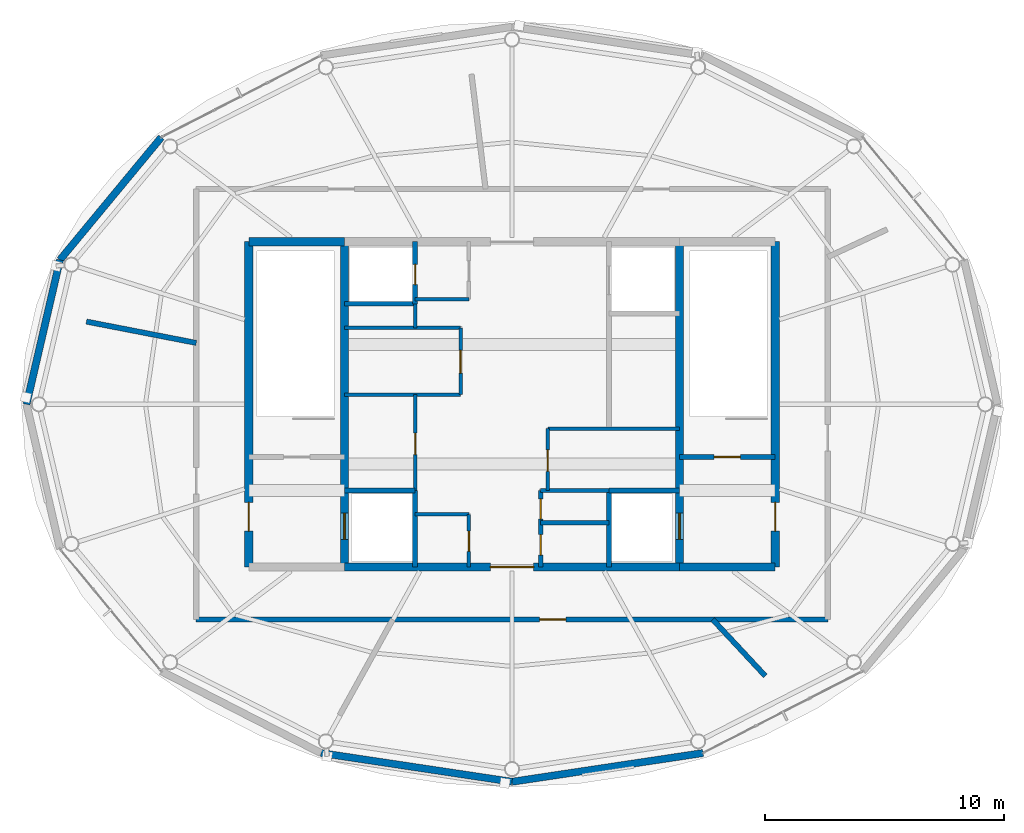
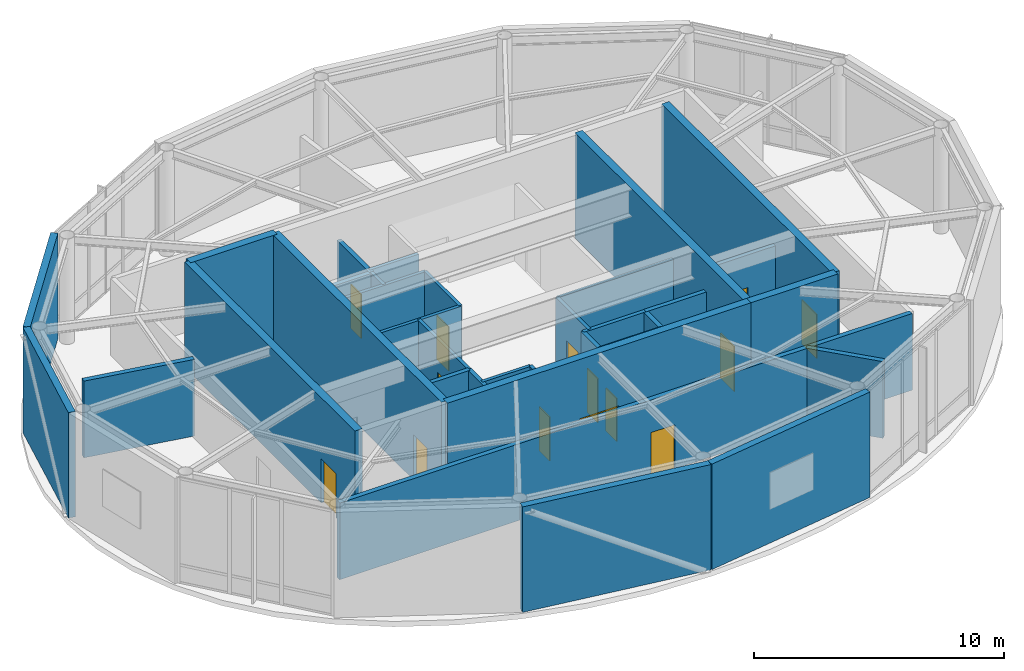
# One storey, part 12 of 14: 34 walls, 14 doors, 14 openings.
"""IFC4 building model written with IfcOpenShell, lengths in metres."""

from ifc_helpers import new_model, si_unit, direction, frame, frame_2d, origin, place, context, subcontext, project, spatial, rectangle, extrude, material, layer, layer_set, type_object, element, fill, save


model = new_model("IFC4")

# Units and contexts
model_context = context("Model", 3, precision=1e-05, world=origin(), true_north=direction((0.0, 1.0)))
body_context = subcontext(model_context, "Body", "Model", "MODEL_VIEW")
ifc_project = project(units=[si_unit("LENGTHUNIT", "METRE"), si_unit("AREAUNIT", "SQUARE_METRE"), si_unit("VOLUMEUNIT", "CUBIC_METRE"), si_unit("PLANEANGLEUNIT", "RADIAN"), si_unit("MASSUNIT", "GRAM", prefix="KILO")], contexts=[model_context])

# Site, building, storey
site_placement = place(None, origin())
site = spatial("IfcSite", under=ifc_project, at=site_placement, CompositionType="ELEMENT")
building_placement = place(site_placement, origin())
building = spatial("IfcBuilding", under=site, at=building_placement, Name="Sarneth Arch Tower", CompositionType="ELEMENT")
storey_placement = place(building_placement, frame((0.0, 0.0, 321.60009765625)))
storey = spatial("IfcBuildingStorey", under=building, at=storey_placement, Name="L83", CompositionType="ELEMENT", Elevation=321.60009765625)

# Wall, opening, door
ifc_material_1 = material(Name="Concrete C50/60", Category="concrete")
ifc_layer_1 = layer(ifc_material_1, 0.35009765625)
ifc_layer_set_1 = layer_set([ifc_layer_1], Name="Concrete C50/60")
wall_type_1 = type_object("IfcWallType", Name="WALL-CORE-350", PredefinedType="SHEAR", material=ifc_layer_set_1)
wall_1_placement = place(storey_placement, frame((41.0, 35.199951171875, 0.0), z_axis=(0.0, 0.0, 1.0), x_axis=(1.0, 0.0, 0.0)))
wall_1 = element("IfcWall", 1, at=wall_1_placement, inside=storey, type_object=wall_type_1, Name="L83 Core shear wall S-M", PredefinedType="SHEAR", context=body_context, shape_type="SweptSolid", body=[
    extrude(rectangle(XDim=14.0, YDim=0.35009765625, at=frame_2d((7.0, 0.0))), origin(), (0.0, 0.0, 1.0), 5.139892578125),
])
opening_1_placement = place(wall_1_placement, frame((6.10009765625, 0.0, 0.0)))
opening_1 = element("IfcOpeningElement", 2, at=opening_1_placement, cuts=wall_1, Name="Opening FD-01", PredefinedType="OPENING", context=body_context, shape_type="SweptSolid", body=[
    extrude(rectangle(XDim=1.800048828125, YDim=2.25, at=frame_2d((0.89990234375, 1.125))), frame((0.0, 0.18505859375, 0.0), z_axis=(0.0, -1.0, 0.0), x_axis=(1.0, 0.0, 0.0)), (0.0, 0.0, 1.0), 0.3701171875),
])
ifc_material_2 = material(Name="Galvanised Steel S275 fire door set", Category="steel")
door_type_1 = type_object("IfcDoorType", Name="DR-FD90-1800", OperationType="DOUBLE_DOOR_SINGLE_SWING", PredefinedType="DOOR", material=ifc_material_2)
door_1_placement = place(opening_1_placement, origin())
door_1 = element("IfcDoor", 3, at=door_1_placement, inside=storey, type_object=door_type_1, Name="L83 Central lift lobby south door", OperationType="DOUBLE_DOOR_SINGLE_SWING", OverallHeight=2.25, OverallWidth=1.800048828125, PredefinedType="DOOR", context=body_context, shape_type="SweptSolid", body=[
    extrude(rectangle(XDim=1.800048828125, YDim=2.25, at=frame_2d((0.89990234375, 1.125))), frame((0.0, 0.02490234375, 0.0), z_axis=(0.0, -1.0, 0.0), x_axis=(1.0, 0.0, 0.0)), (0.0, 0.0, 1.0), 0.050048828125),
])
fill(opening_1, door_1)

# Walls
for number, where, z_axis, x_axis, name in (
    (4, (55.0, 35.199951171875, 0.0), (0.0, 0.0, 1.0), (1.0, 0.0, 0.0), "L83 Core shear wall S-E"),
    (5, (37.0, 48.800048828125, 0.0), (0.0, 0.0, 1.0), (1.0, 0.0, 0.0), "L83 Core shear wall N-W"),
):
    element("IfcWall", number, at=place(storey_placement, frame(where, z_axis=z_axis, x_axis=x_axis)), inside=storey, type_object=wall_type_1, Name=name, PredefinedType="SHEAR", context=body_context, shape_type="SweptSolid", body=[
        extrude(rectangle(XDim=4.0, YDim=0.35009765625, at=frame_2d((2.0, 0.0))), origin(), (0.0, 0.0, 1.0), 5.139892578125),
    ])

# Wall, opening, door
wall_2_placement = place(storey_placement, frame((37.0, 35.199951171875, 0.0), z_axis=(0.0, 0.0, 1.0), x_axis=(0.0, 1.0, 0.0)))
wall_2 = element("IfcWall", 6, at=wall_2_placement, inside=storey, type_object=wall_type_1, Name="L83 Core shear wall W", PredefinedType="SHEAR", context=body_context, shape_type="SweptSolid", body=[
    extrude(rectangle(XDim=13.60009765625, YDim=0.35009765625, at=frame_2d((6.800048828125, 0.0))), origin(), (0.0, 0.0, 1.0), 5.139892578125),
])
opening_2_placement = place(wall_2_placement, frame((1.5, 0.0, 0.0)))
opening_2 = element("IfcOpeningElement", 7, at=opening_2_placement, cuts=wall_2, Name="Opening FD-02", PredefinedType="OPENING", context=body_context, shape_type="SweptSolid", body=[
    extrude(rectangle(XDim=1.199951171875, YDim=2.14990234375, at=frame_2d((0.60009765625, 1.074951171875))), frame((0.0, 0.18505859375, 0.0), z_axis=(0.0, -1.0, 0.0), x_axis=(1.0, 0.0, 0.0)), (0.0, 0.0, 1.0), 0.3701171875),
])
ifc_material_3 = material(Name="Galvanised Steel S275 fire door set", Category="steel")
door_type_2 = type_object("IfcDoorType", Name="DR-FD90-1200", OperationType="SINGLE_SWING_LEFT", PredefinedType="DOOR", material=ifc_material_3)
door_2_placement = place(opening_2_placement, origin())
door_2 = element("IfcDoor", 8, at=door_2_placement, inside=storey, type_object=door_type_2, Name="L83 Firefighting lobby 1 exit door", OperationType="SINGLE_SWING_LEFT", OverallHeight=2.14990234375, OverallWidth=1.199951171875, PredefinedType="DOOR", context=body_context, shape_type="SweptSolid", body=[
    extrude(rectangle(XDim=1.199951171875, YDim=2.14990234375, at=frame_2d((0.60009765625, 1.074951171875))), frame((0.0, 0.02490234375, 0.0), z_axis=(0.0, -1.0, 0.0), x_axis=(1.0, 0.0, 0.0)), (0.0, 0.0, 1.0), 0.050048828125),
])
fill(opening_2, door_2)

wall_3_placement = place(storey_placement, frame((59.0, 35.199951171875, 0.0), z_axis=(0.0, 0.0, 1.0), x_axis=(0.0, 1.0, 0.0)))
wall_3 = element("IfcWall", 9, at=wall_3_placement, inside=storey, type_object=wall_type_1, Name="L83 Core shear wall E", PredefinedType="SHEAR", context=body_context, shape_type="SweptSolid", body=[
    extrude(rectangle(XDim=13.60009765625, YDim=0.35009765625, at=frame_2d((6.800048828125, 0.0))), origin(), (0.0, 0.0, 1.0), 5.139892578125),
])
opening_3_placement = place(wall_3_placement, frame((1.5, 0.0, 0.0)))
opening_3 = element("IfcOpeningElement", 10, at=opening_3_placement, cuts=wall_3, Name="Opening FD-02", PredefinedType="OPENING", context=body_context, shape_type="SweptSolid", body=[
    extrude(rectangle(XDim=1.199951171875, YDim=2.14990234375, at=frame_2d((0.60009765625, 1.074951171875))), frame((0.0, 0.18505859375, 0.0), z_axis=(0.0, -1.0, 0.0), x_axis=(1.0, 0.0, 0.0)), (0.0, 0.0, 1.0), 0.3701171875),
])
door_3_placement = place(opening_3_placement, origin())
door_3 = element("IfcDoor", 11, at=door_3_placement, inside=storey, type_object=door_type_2, Name="L83 Firefighting lobby 2 exit door", OperationType="SINGLE_SWING_RIGHT", OverallHeight=2.14990234375, OverallWidth=1.199951171875, PredefinedType="DOOR", context=body_context, shape_type="SweptSolid", body=[
    extrude(rectangle(XDim=1.199951171875, YDim=2.14990234375, at=frame_2d((0.60009765625, 1.074951171875))), frame((0.0, 0.02490234375, 0.0), z_axis=(0.0, -1.0, 0.0), x_axis=(1.0, 0.0, 0.0)), (0.0, 0.0, 1.0), 0.050048828125),
])
fill(opening_3, door_3)

wall_4_placement = place(storey_placement, frame((41.0, 35.199951171875, 0.0), z_axis=(0.0, 0.0, 1.0), x_axis=(0.0, 1.0, 0.0)))
wall_4 = element("IfcWall", 12, at=wall_4_placement, inside=storey, type_object=wall_type_1, Name="L83 Core shear wall WEB-W", PredefinedType="SHEAR", context=body_context, shape_type="SweptSolid", body=[
    extrude(rectangle(XDim=13.60009765625, YDim=0.35009765625, at=frame_2d((6.800048828125, 0.0))), origin(), (0.0, 0.0, 1.0), 5.139892578125),
])
opening_4_placement = place(wall_4_placement, frame((1.14990234375, 0.0, 0.0)))
opening_4 = element("IfcOpeningElement", 13, at=opening_4_placement, cuts=wall_4, Name="Opening LD-1", PredefinedType="OPENING", context=body_context, shape_type="SweptSolid", body=[
    extrude(rectangle(XDim=1.10009765625, YDim=2.199951171875, at=frame_2d((0.550048828125, 1.10009765625))), frame((0.0, 0.18505859375, 0.0), z_axis=(0.0, -1.0, 0.0), x_axis=(1.0, 0.0, 0.0)), (0.0, 0.0, 1.0), 0.3701171875),
])
ifc_material_4 = material(Name="Brushed Stainless Steel 304 lift landing door", Category="steel")
door_type_3 = type_object("IfcDoorType", Name="DR-LIFT-SLIDE-1100", OperationType="SLIDING_TO_LEFT", PredefinedType="DOOR", material=ifc_material_4)
door_4_placement = place(opening_4_placement, origin())
door_4 = element("IfcDoor", 14, at=door_4_placement, inside=storey, type_object=door_type_3, Name="L83 Firefighting lift landing door FL-1", OperationType="SLIDING_TO_LEFT", OverallHeight=2.199951171875, OverallWidth=1.10009765625, PredefinedType="DOOR", context=body_context, shape_type="SweptSolid", body=[
    extrude(rectangle(XDim=1.10009765625, YDim=2.199951171875, at=frame_2d((0.550048828125, 1.10009765625))), frame((0.0, 0.02490234375, 0.0), z_axis=(0.0, -1.0, 0.0), x_axis=(1.0, 0.0, 0.0)), (0.0, 0.0, 1.0), 0.050048828125),
])
fill(opening_4, door_4)

wall_5_placement = place(storey_placement, frame((55.0, 35.199951171875, 0.0), z_axis=(0.0, 0.0, 1.0), x_axis=(0.0, 1.0, 0.0)))
wall_5 = element("IfcWall", 15, at=wall_5_placement, inside=storey, type_object=wall_type_1, Name="L83 Core shear wall WEB-E", PredefinedType="SHEAR", context=body_context, shape_type="SweptSolid", body=[
    extrude(rectangle(XDim=13.60009765625, YDim=0.35009765625, at=frame_2d((6.800048828125, 0.0))), origin(), (0.0, 0.0, 1.0), 5.139892578125),
])
opening_5_placement = place(wall_5_placement, frame((1.14990234375, 0.0, 0.0)))
opening_5 = element("IfcOpeningElement", 16, at=opening_5_placement, cuts=wall_5, Name="Opening LD-1", PredefinedType="OPENING", context=body_context, shape_type="SweptSolid", body=[
    extrude(rectangle(XDim=1.10009765625, YDim=2.199951171875, at=frame_2d((0.550048828125, 1.10009765625))), frame((0.0, 0.18505859375, 0.0), z_axis=(0.0, -1.0, 0.0), x_axis=(1.0, 0.0, 0.0)), (0.0, 0.0, 1.0), 0.3701171875),
])
door_5_placement = place(opening_5_placement, origin())
door_5 = element("IfcDoor", 17, at=door_5_placement, inside=storey, type_object=door_type_3, Name="L83 Firefighting lift landing door FL-2", OperationType="SLIDING_TO_RIGHT", OverallHeight=2.199951171875, OverallWidth=1.10009765625, PredefinedType="DOOR", context=body_context, shape_type="SweptSolid", body=[
    extrude(rectangle(XDim=1.10009765625, YDim=2.199951171875, at=frame_2d((0.550048828125, 1.10009765625))), frame((0.0, 0.02490234375, 0.0), z_axis=(0.0, -1.0, 0.0), x_axis=(1.0, 0.0, 0.0)), (0.0, 0.0, 1.0), 0.050048828125),
])
fill(opening_5, door_5)

# Walls
ifc_material_5 = material(Name="Extruded terracotta rainscreen on Concrete C40/50 backing", Category="masonry")
ifc_layer_2 = layer(ifc_material_5, 0.300048828125)
ifc_layer_set_2 = layer_set([ifc_layer_2], Name="Extruded terracotta rainscreen on Concrete C40/50 backing")
wall_type_2 = type_object("IfcWallType", Name="WALL-EXT-ACOUST-300", PredefinedType="SOLIDWALL", material=ifc_layer_set_2)
wall_6_placement = place(storey_placement, frame((33.3388671875, 53.158203125, 0.0), z_axis=(0.0, 0.0, 1.0), x_axis=(-0.637488001771, -0.770460282947, 0.0)))
element("IfcWall", 18, at=wall_6_placement, inside=storey, type_object=wall_type_2, Name="L83 Terracotta perimeter wall 07", PredefinedType="SOLIDWALL", context=body_context, shape_type="SweptSolid", body=[
    extrude(rectangle(XDim=6.64453125, YDim=0.300048828125, at=frame_2d((3.322265625, 0.0))), origin(), (0.0, 0.0, 1.0), 5.139892578125),
])
wall_7_placement = place(storey_placement, frame((29.10302734375, 48.038818359375, 0.0), z_axis=(0.0, 0.0, 1.0), x_axis=(-0.225604460723, -0.974218983238, 0.0)))
element("IfcWall", 19, at=wall_7_placement, inside=storey, type_object=wall_type_2, Name="L83 Terracotta perimeter wall 08", PredefinedType="SOLIDWALL", context=body_context, shape_type="SweptSolid", body=[
    extrude(rectangle(XDim=6.19873046875, YDim=0.300048828125, at=frame_2d((3.099365234375, 0.0))), origin(), (0.0, 0.0, 1.0), 5.139892578125),
])
for number, where, z_axis, x_axis, name in (
    (20, (40.014404296875, 27.421142578125, 0.0), (0.0, 0.0, 1.0), (0.988875731541, -0.148744033727, 0.0), "L83 Terracotta perimeter wall 12"),
    (21, (48.0, 26.219970703125, 0.0), (0.0, 0.0, 1.0), (0.988875731541, 0.148744033727, 0.0), "L83 Terracotta perimeter wall 13"),
):
    element("IfcWall", number, at=place(storey_placement, frame(where, z_axis=z_axis, x_axis=x_axis)), inside=storey, type_object=wall_type_2, Name=name, PredefinedType="SOLIDWALL", context=body_context, shape_type="SweptSolid", body=[
        extrude(rectangle(XDim=8.075439453125, YDim=0.300048828125, at=frame_2d((4.03759765625, 0.0))), origin(), (0.0, 0.0, 1.0), 5.139892578125),
    ])

# Wall, opening, door
ifc_material_6 = material(Name="Aerated concrete blockwork C25/30", Category="masonry")
ifc_layer_3 = layer(ifc_material_6, 0.219970703125)
ifc_layer_set_3 = layer_set([ifc_layer_3], Name="Aerated concrete blockwork C25/30")
wall_type_3 = type_object("IfcWallType", Name="WALL-FIRE-220", PredefinedType="SOLIDWALL", material=ifc_layer_set_3)
wall_8_placement = place(storey_placement, frame((61.199951171875, 33.0, 0.0), z_axis=(0.0, 0.0, 1.0), x_axis=(-1.0, 0.0, 0.0)))
wall_8 = element("IfcWall", 22, at=wall_8_placement, inside=storey, type_object=wall_type_3, Name="L83 Interior partition W-L83-TP-007", PredefinedType="SOLIDWALL", context=body_context, shape_type="SweptSolid", body=[
    extrude(rectangle(XDim=26.39990234375, YDim=0.219970703125, at=frame_2d((13.199951171875, 0.0))), origin(), (0.0, 0.0, 1.0), 3.739990234375),
])
opening_6_placement = place(wall_8_placement, frame((10.944580078125, 0.0, 0.0)))
opening_6 = element("IfcOpeningElement", 23, at=opening_6_placement, cuts=wall_8, Name="Opening FD-03", PredefinedType="OPENING", context=body_context, shape_type="SweptSolid", body=[
    extrude(rectangle(XDim=1.10009765625, YDim=2.14990234375, at=frame_2d((0.550048828125, 1.074951171875))), frame((0.0, 0.119873046875, 0.0), z_axis=(0.0, -1.0, 0.0), x_axis=(1.0, 0.0, 0.0)), (0.0, 0.0, 1.0), 0.239990234375),
])
ifc_material_7 = material(Name="Galvanised Steel S275 fire door set", Category="steel")
door_type_4 = type_object("IfcDoorType", Name="DR-FD90-1100", OperationType="SINGLE_SWING_LEFT", PredefinedType="DOOR", material=ifc_material_7)
door_6_placement = place(opening_6_placement, origin())
door_6 = element("IfcDoor", 24, at=door_6_placement, inside=storey, type_object=door_type_4, Name="L83 Interior door DR-L83-PSEC-4", OperationType="SINGLE_SWING_LEFT", OverallHeight=2.14990234375, OverallWidth=1.10009765625, PredefinedType="DOOR", context=body_context, shape_type="SweptSolid", body=[
    extrude(rectangle(XDim=1.10009765625, YDim=2.14990234375, at=frame_2d((0.550048828125, 1.074951171875))), frame((0.0, 0.02490234375, 0.0), z_axis=(0.0, -1.0, 0.0), x_axis=(1.0, 0.0, 0.0)), (0.0, 0.0, 1.0), 0.050048828125),
])
fill(opening_6, door_6)

# Walls
wall_9_placement = place(storey_placement, frame((34.800048828125, 44.56591796875, 0.0), z_axis=(0.0, 0.0, 1.0), x_axis=(-0.981634681903, 0.190770415119, 0.0)))
element("IfcWall", 25, at=wall_9_placement, inside=storey, type_object=wall_type_3, Name="L83 Interior partition W-L83-TP-012", PredefinedType="SOLIDWALL", context=body_context, shape_type="SweptSolid", body=[
    extrude(rectangle(XDim=4.675048828125, YDim=0.219970703125, at=frame_2d((2.33740234375, 0.0))), origin(), (0.0, 0.0, 1.0), 3.739990234375),
])
wall_10_placement = place(storey_placement, frame((56.392578125, 33.0, 0.0), z_axis=(0.0, 0.0, 1.0), x_axis=(0.68200765992, -0.731345029251, 0.0)))
element("IfcWall", 26, at=wall_10_placement, inside=storey, type_object=wall_type_3, Name="L83 Interior partition W-L83-TP-014", PredefinedType="SOLIDWALL", context=body_context, shape_type="SweptSolid", body=[
    extrude(rectangle(XDim=3.221435546875, YDim=0.219970703125, at=frame_2d((1.61083984375, 0.0))), origin(), (0.0, 0.0, 1.0), 3.739990234375),
])

# Wall, opening, door
ifc_material_8 = material(Name="Acoustic gypsum stud partition", Category="gypsum")
ifc_layer_4 = layer(ifc_material_8, 0.14990234375)
ifc_layer_set_4 = layer_set([ifc_layer_4], Name="Acoustic gypsum stud partition")
wall_type_4 = type_object("IfcWallType", Name="WALL-PART-150", PredefinedType="PARTITIONING", material=ifc_layer_set_4)
wall_11_placement = place(storey_placement, frame((43.949951171875, 38.39990234375, 0.0), z_axis=(0.0, 0.0, 1.0), x_axis=(0.0, 1.0, 0.0)))
wall_11 = element("IfcWall", 27, at=wall_11_placement, inside=storey, type_object=wall_type_4, Name="L83 Interior partition W-L83-RECPL-E", PredefinedType="PARTITIONING", context=body_context, shape_type="SweptSolid", body=[
    extrude(rectangle(XDim=4.0, YDim=0.14990234375, at=frame_2d((2.0, 0.0))), origin(), (0.0, 0.0, 1.0), 3.739990234375),
])
opening_7_placement = place(wall_11_placement, frame((1.5, 0.0, 0.0)))
opening_7 = element("IfcOpeningElement", 28, at=opening_7_placement, cuts=wall_11, Name="Opening FD-10", PredefinedType="OPENING", context=body_context, shape_type="SweptSolid", body=[
    extrude(rectangle(XDim=0.89990234375, YDim=2.14990234375, at=frame_2d((0.449951171875, 1.074951171875))), frame((0.0, 0.0849609375, 0.0), z_axis=(0.0, -1.0, 0.0), x_axis=(1.0, 0.0, 0.0)), (0.0, 0.0, 1.0), 0.169921875),
])
ifc_material_9 = material(Name="Galvanised Steel S275 riser/service fire door", Category="steel")
door_type_5 = type_object("IfcDoorType", Name="DR-FD60-900", OperationType="SINGLE_SWING_LEFT", PredefinedType="DOOR", material=ifc_material_9)
door_7_placement = place(opening_7_placement, origin())
door_7 = element("IfcDoor", 29, at=door_7_placement, inside=storey, type_object=door_type_5, Name="L83 Interior door DR-L83-RECPL", OperationType="SINGLE_SWING_LEFT", OverallHeight=2.14990234375, OverallWidth=0.89990234375, PredefinedType="DOOR", context=body_context, shape_type="SweptSolid", body=[
    extrude(rectangle(XDim=0.89990234375, YDim=2.14990234375, at=frame_2d((0.449951171875, 1.074951171875))), frame((0.0, 0.02490234375, 0.0), z_axis=(0.0, -1.0, 0.0), x_axis=(1.0, 0.0, 0.0)), (0.0, 0.0, 1.0), 0.050048828125),
])
fill(opening_7, door_7)

# Walls
for number, where, z_axis, x_axis, name in (
    (30, (41.0, 42.39990234375, 0.0), (0.0, 0.0, 1.0), (1.0, 0.0, 0.0), "L83 Interior partition W-L83-RECPM1-S"),
    (31, (41.0, 45.199951171875, 0.0), (0.0, 0.0, 1.0), (1.0, 0.0, 0.0), "L83 Interior partition W-L83-RECPM1-N"),
):
    element("IfcWall", number, at=place(storey_placement, frame(where, z_axis=z_axis, x_axis=x_axis)), inside=storey, type_object=wall_type_4, Name=name, PredefinedType="PARTITIONING", context=body_context, shape_type="SweptSolid", body=[
        extrude(rectangle(XDim=4.85009765625, YDim=0.14990234375, at=frame_2d((2.425048828125, 0.0))), origin(), (0.0, 0.0, 1.0), 3.739990234375),
    ])
wall_12_placement = place(storey_placement, frame((43.949951171875, 45.199951171875, 0.0), z_axis=(0.0, 0.0, 1.0), x_axis=(0.0, 1.0, 0.0)))
element("IfcWall", 32, at=wall_12_placement, inside=storey, type_object=wall_type_4, Name="L83 Interior partition W-L83-RECPM1-W2", PredefinedType="PARTITIONING", context=body_context, shape_type="SweptSolid", body=[
    extrude(rectangle(XDim=1.0, YDim=0.14990234375, at=frame_2d((0.5, 0.0))), origin(), (0.0, 0.0, 1.0), 3.739990234375),
])

# Wall, opening, door
wall_13_placement = place(storey_placement, frame((45.85009765625, 42.39990234375, 0.0), z_axis=(0.0, 0.0, 1.0), x_axis=(0.0, 1.0, 0.0)))
wall_13 = element("IfcWall", 33, at=wall_13_placement, inside=storey, type_object=wall_type_4, Name="L83 Interior partition W-L83-RECPM1-E", PredefinedType="PARTITIONING", context=body_context, shape_type="SweptSolid", body=[
    extrude(rectangle(XDim=2.800048828125, YDim=0.14990234375, at=frame_2d((1.39990234375, 0.0))), origin(), (0.0, 0.0, 1.0), 3.739990234375),
])
opening_8_placement = place(wall_13_placement, frame((0.89990234375, 0.0, 0.0)))
opening_8 = element("IfcOpeningElement", 34, at=opening_8_placement, cuts=wall_13, Name="Opening FD-09", PredefinedType="OPENING", context=body_context, shape_type="SweptSolid", body=[
    extrude(rectangle(XDim=0.949951171875, YDim=2.14990234375, at=frame_2d((0.47509765625, 1.074951171875))), frame((0.0, 0.0849609375, 0.0), z_axis=(0.0, -1.0, 0.0), x_axis=(1.0, 0.0, 0.0)), (0.0, 0.0, 1.0), 0.169921875),
])
ifc_material_10 = material(Name="Hardwood timber hotel entrance fire door", Category="wood")
door_type_6 = type_object("IfcDoorType", Name="DR-FD60-950", OperationType="SINGLE_SWING_RIGHT", PredefinedType="DOOR", material=ifc_material_10)
door_8_placement = place(opening_8_placement, origin())
door_8 = element("IfcDoor", 35, at=door_8_placement, inside=storey, type_object=door_type_6, Name="L83 Interior door DR-L83-RECPM1", OperationType="SINGLE_SWING_RIGHT", OverallHeight=2.14990234375, OverallWidth=0.949951171875, PredefinedType="DOOR", context=body_context, shape_type="SweptSolid", body=[
    extrude(rectangle(XDim=0.949951171875, YDim=2.14990234375, at=frame_2d((0.47509765625, 1.074951171875))), frame((0.0, 0.02490234375, 0.0), z_axis=(0.0, -1.0, 0.0), x_axis=(1.0, 0.0, 0.0)), (0.0, 0.0, 1.0), 0.050048828125),
])
fill(opening_8, door_8)

# Wall
wall_14_placement = place(storey_placement, frame((49.5, 40.97998046875, 0.0), z_axis=(0.0, 0.0, 1.0), x_axis=(1.0, 0.0, 0.0)))
element("IfcWall", 36, at=wall_14_placement, inside=storey, type_object=wall_type_4, Name="L83 Interior partition W-L83-RECPM2-N", PredefinedType="PARTITIONING", context=body_context, shape_type="SweptSolid", body=[
    extrude(rectangle(XDim=5.5, YDim=0.14990234375, at=frame_2d((2.75, 0.0))), origin(), (0.0, 0.0, 1.0), 3.739990234375),
])

# Wall, opening, door
wall_15_placement = place(storey_placement, frame((49.5, 38.39990234375, 0.0), z_axis=(0.0, 0.0, 1.0), x_axis=(0.0, 1.0, 0.0)))
wall_15 = element("IfcWall", 37, at=wall_15_placement, inside=storey, type_object=wall_type_4, Name="L83 Interior partition W-L83-RECPM2-W", PredefinedType="PARTITIONING", context=body_context, shape_type="SweptSolid", body=[
    extrude(rectangle(XDim=2.580078125, YDim=0.14990234375, at=frame_2d((1.2900390625, 0.0))), origin(), (0.0, 0.0, 1.0), 3.739990234375),
])
opening_9_placement = place(wall_15_placement, frame((0.800048828125, 0.0, 0.0)))
opening_9 = element("IfcOpeningElement", 38, at=opening_9_placement, cuts=wall_15, Name="Opening FD-10", PredefinedType="OPENING", context=body_context, shape_type="SweptSolid", body=[
    extrude(rectangle(XDim=0.89990234375, YDim=2.14990234375, at=frame_2d((0.449951171875, 1.074951171875))), frame((0.0, 0.0849609375, 0.0), z_axis=(0.0, -1.0, 0.0), x_axis=(1.0, 0.0, 0.0)), (0.0, 0.0, 1.0), 0.169921875),
])
door_9_placement = place(opening_9_placement, origin())
door_9 = element("IfcDoor", 39, at=door_9_placement, inside=storey, type_object=door_type_5, Name="L83 Interior door DR-L83-RECPM2", OperationType="SINGLE_SWING_LEFT", OverallHeight=2.14990234375, OverallWidth=0.89990234375, PredefinedType="DOOR", context=body_context, shape_type="SweptSolid", body=[
    extrude(rectangle(XDim=0.89990234375, YDim=2.14990234375, at=frame_2d((0.449951171875, 1.074951171875))), frame((0.0, 0.02490234375, 0.0), z_axis=(0.0, -1.0, 0.0), x_axis=(1.0, 0.0, 0.0)), (0.0, 0.0, 1.0), 0.050048828125),
])
fill(opening_9, door_9)

# Wall
wall_16_placement = place(storey_placement, frame((43.949951171875, 37.39990234375, 0.0), z_axis=(0.0, 0.0, 1.0), x_axis=(1.0, 0.0, 0.0)))
element("IfcWall", 40, at=wall_16_placement, inside=storey, type_object=wall_type_4, Name="L83 Interior partition W-L83-CSUP1-N", PredefinedType="PARTITIONING", context=body_context, shape_type="SweptSolid", body=[
    extrude(rectangle(XDim=2.25, YDim=0.14990234375, at=frame_2d((1.125, 0.0))), origin(), (0.0, 0.0, 1.0), 3.739990234375),
])

# Wall, opening, door
wall_17_placement = place(storey_placement, frame((46.199951171875, 35.199951171875, 0.0), z_axis=(0.0, 0.0, 1.0), x_axis=(0.0, 1.0, 0.0)))
wall_17 = element("IfcWall", 41, at=wall_17_placement, inside=storey, type_object=wall_type_4, Name="L83 Interior partition W-L83-CSUP1-E", PredefinedType="PARTITIONING", context=body_context, shape_type="SweptSolid", body=[
    extrude(rectangle(XDim=2.199951171875, YDim=0.14990234375, at=frame_2d((1.10009765625, 0.0))), origin(), (0.0, 0.0, 1.0), 3.739990234375),
])
opening_10_placement = place(wall_17_placement, frame((0.64990234375, 0.0, 0.0)))
opening_10 = element("IfcOpeningElement", 42, at=opening_10_placement, cuts=wall_17, Name="Opening FD-11", PredefinedType="OPENING", context=body_context, shape_type="SweptSolid", body=[
    extrude(rectangle(XDim=0.85009765625, YDim=2.14990234375, at=frame_2d((0.425048828125, 1.074951171875))), frame((0.0, 0.0849609375, 0.0), z_axis=(0.0, -1.0, 0.0), x_axis=(1.0, 0.0, 0.0)), (0.0, 0.0, 1.0), 0.169921875),
])
ifc_material_11 = material(Name="Galvanised Steel S275 closet fire door", Category="steel")
door_type_7 = type_object("IfcDoorType", Name="DR-FD60-850", OperationType="SINGLE_SWING_LEFT", PredefinedType="DOOR", material=ifc_material_11)
door_10_placement = place(opening_10_placement, origin())
door_10 = element("IfcDoor", 43, at=door_10_placement, inside=storey, type_object=door_type_7, Name="L83 Interior door DR-L83-CSUP1", OperationType="SINGLE_SWING_LEFT", OverallHeight=2.14990234375, OverallWidth=0.85009765625, PredefinedType="DOOR", context=body_context, shape_type="SweptSolid", body=[
    extrude(rectangle(XDim=0.85009765625, YDim=2.14990234375, at=frame_2d((0.425048828125, 1.074951171875))), frame((0.0, 0.02490234375, 0.0), z_axis=(0.0, -1.0, 0.0), x_axis=(1.0, 0.0, 0.0)), (0.0, 0.0, 1.0), 0.050048828125),
])
fill(opening_10, door_10)

# Walls
wall_18_placement = place(storey_placement, frame((43.949951171875, 46.39990234375, 0.0), z_axis=(0.0, 0.0, 1.0), x_axis=(1.0, 0.0, 0.0)))
element("IfcWall", 44, at=wall_18_placement, inside=storey, type_object=wall_type_4, Name="L83 Interior partition W-L83-CSUP2-S", PredefinedType="PARTITIONING", context=body_context, shape_type="SweptSolid", body=[
    extrude(rectangle(XDim=2.25, YDim=0.14990234375, at=frame_2d((1.125, 0.0))), origin(), (0.0, 0.0, 1.0), 3.739990234375),
])
ifc_material_12 = material(Name="Moisture-resistant plumbing chase wall", Category="gypsum")
ifc_layer_5 = layer(ifc_material_12, 0.179931640625)
ifc_layer_set_5 = layer_set([ifc_layer_5], Name="Moisture-resistant plumbing chase wall")
wall_type_5 = type_object("IfcWallType", Name="WALL-PLUMB-180", PredefinedType="PLUMBINGWALL", material=ifc_layer_set_5)
for number, where, z_axis, x_axis, name in (
    (45, (49.199951171875, 37.050048828125, 0.0), (0.0, 0.0, 1.0), (1.0, 0.0, 0.0), "L83 Interior partition W-L83-AWC-M"),
    (46, (49.199951171875, 38.39990234375, 0.0), (0.0, 0.0, 1.0), (1.0, 0.0, 0.0), "L83 Interior partition W-L83-AWC-N"),
):
    element("IfcWall", number, at=place(storey_placement, frame(where, z_axis=z_axis, x_axis=x_axis)), inside=storey, type_object=wall_type_5, Name=name, PredefinedType="PLUMBINGWALL", context=body_context, shape_type="SweptSolid", body=[
        extrude(rectangle(XDim=2.85009765625, YDim=0.179931640625, at=frame_2d((1.425048828125, 0.0))), origin(), (0.0, 0.0, 1.0), 3.739990234375),
    ])

# Wall, openings, doors
wall_19_placement = place(storey_placement, frame((49.199951171875, 35.199951171875, 0.0), z_axis=(0.0, 0.0, 1.0), x_axis=(0.0, 1.0, 0.0)))
wall_19 = element("IfcWall", 47, at=wall_19_placement, inside=storey, type_object=wall_type_5, Name="L83 Interior partition W-L83-AWC-W", PredefinedType="PLUMBINGWALL", context=body_context, shape_type="SweptSolid", body=[
    extrude(rectangle(XDim=3.199951171875, YDim=0.179931640625, at=frame_2d((1.60009765625, 0.0))), origin(), (0.0, 0.0, 1.0), 3.739990234375),
])
opening_11_placement = place(wall_19_placement, frame((0.5, 0.0, 0.0)))
opening_11 = element("IfcOpeningElement", 48, at=opening_11_placement, cuts=wall_19, Name="Opening ID-02", PredefinedType="OPENING", context=body_context, shape_type="SweptSolid", body=[
    extrude(rectangle(XDim=0.85009765625, YDim=2.10009765625, at=frame_2d((0.425048828125, 1.050048828125))), frame((0.0, 0.099853515625, 0.0), z_axis=(0.0, -1.0, 0.0), x_axis=(1.0, 0.0, 0.0)), (0.0, 0.0, 1.0), 0.199951171875),
])
opening_12_placement = place(wall_19_placement, frame((2.0, 0.0, 0.0)))
opening_12 = element("IfcOpeningElement", 49, at=opening_12_placement, cuts=wall_19, Name="Opening FD-11", PredefinedType="OPENING", context=body_context, shape_type="SweptSolid", body=[
    extrude(rectangle(XDim=0.85009765625, YDim=2.14990234375, at=frame_2d((0.425048828125, 1.074951171875))), frame((0.0, 0.099853515625, 0.0), z_axis=(0.0, -1.0, 0.0), x_axis=(1.0, 0.0, 0.0)), (0.0, 0.0, 1.0), 0.199951171875),
])
door_11_placement = place(opening_12_placement, origin())
door_11 = element("IfcDoor", 50, at=door_11_placement, inside=storey, type_object=door_type_7, Name="L83 Interior door DR-L83-CSUP3", OperationType="SINGLE_SWING_LEFT", OverallHeight=2.14990234375, OverallWidth=0.85009765625, PredefinedType="DOOR", context=body_context, shape_type="SweptSolid", body=[
    extrude(rectangle(XDim=0.85009765625, YDim=2.14990234375, at=frame_2d((0.425048828125, 1.074951171875))), frame((0.0, 0.02490234375, 0.0), z_axis=(0.0, -1.0, 0.0), x_axis=(1.0, 0.0, 0.0)), (0.0, 0.0, 1.0), 0.050048828125),
])
fill(opening_12, door_11)
ifc_material_13 = material(Name="Moisture-resistant bathroom timber door", Category="wood")
door_type_8 = type_object("IfcDoorType", Name="DR-INT-850", OperationType="SINGLE_SWING_RIGHT", PredefinedType="DOOR", material=ifc_material_13)
door_12_placement = place(opening_11_placement, origin())
door_12 = element("IfcDoor", 51, at=door_12_placement, inside=storey, type_object=door_type_8, Name="L83 Interior door DR-L83-AWC", OperationType="SINGLE_SWING_RIGHT", OverallHeight=2.10009765625, OverallWidth=0.85009765625, PredefinedType="DOOR", context=body_context, shape_type="SweptSolid", body=[
    extrude(rectangle(XDim=0.85009765625, YDim=2.10009765625, at=frame_2d((0.425048828125, 1.050048828125))), frame((0.0, 0.02490234375, 0.0), z_axis=(0.0, -1.0, 0.0), x_axis=(1.0, 0.0, 0.0)), (0.0, 0.0, 1.0), 0.050048828125),
])
fill(opening_11, door_12)

# Wall, opening, door
ifc_material_14 = material(Name="Aerated concrete blockwork C25/30", Category="masonry")
ifc_layer_6 = layer(ifc_material_14, 0.199951171875)
ifc_layer_set_6 = layer_set([ifc_layer_6], Name="Aerated concrete blockwork C25/30")
wall_type_6 = type_object("IfcWallType", Name="WALL-SHAFT-200", PredefinedType="SOLIDWALL", material=ifc_layer_set_6)
wall_20_placement = place(storey_placement, frame((55.0, 39.800048828125, 0.0), z_axis=(0.0, 0.0, 1.0), x_axis=(1.0, 0.0, 0.0)))
wall_20 = element("IfcWall", 52, at=wall_20_placement, inside=storey, type_object=wall_type_6, Name="L83 Interior partition W-L83-ST2-S", PredefinedType="SOLIDWALL", context=body_context, shape_type="SweptSolid", body=[
    extrude(rectangle(XDim=4.0, YDim=0.199951171875, at=frame_2d((2.0, 0.0))), origin(), (0.0, 0.0, 1.0), 3.739990234375),
])
opening_13_placement = place(wall_20_placement, frame((1.449951171875, 0.0, 0.0)))
opening_13 = element("IfcOpeningElement", 53, at=opening_13_placement, cuts=wall_20, Name="Opening FD-03", PredefinedType="OPENING", context=body_context, shape_type="SweptSolid", body=[
    extrude(rectangle(XDim=1.10009765625, YDim=2.14990234375, at=frame_2d((0.550048828125, 1.074951171875))), frame((0.0, 0.10986328125, 0.0), z_axis=(0.0, -1.0, 0.0), x_axis=(1.0, 0.0, 0.0)), (0.0, 0.0, 1.0), 0.219970703125),
])
door_13_placement = place(opening_13_placement, origin())
door_13 = element("IfcDoor", 54, at=door_13_placement, inside=storey, type_object=door_type_4, Name="L83 Interior door DR-L83-ST2", OperationType="SINGLE_SWING_RIGHT", OverallHeight=2.14990234375, OverallWidth=1.10009765625, PredefinedType="DOOR", context=body_context, shape_type="SweptSolid", body=[
    extrude(rectangle(XDim=1.10009765625, YDim=2.14990234375, at=frame_2d((0.550048828125, 1.074951171875))), frame((0.0, 0.02490234375, 0.0), z_axis=(0.0, -1.0, 0.0), x_axis=(1.0, 0.0, 0.0)), (0.0, 0.0, 1.0), 0.050048828125),
])
fill(opening_13, door_13)

# Walls
wall_21_placement = place(storey_placement, frame((43.949951171875, 35.199951171875, 0.0), z_axis=(0.0, 0.0, 1.0), x_axis=(0.0, 1.0, 0.0)))
element("IfcWall", 55, at=wall_21_placement, inside=storey, type_object=wall_type_6, Name="L83 Interior partition W-L83-FL1-E", PredefinedType="SOLIDWALL", context=body_context, shape_type="SweptSolid", body=[
    extrude(rectangle(XDim=3.199951171875, YDim=0.199951171875, at=frame_2d((1.60009765625, 0.0))), origin(), (0.0, 0.0, 1.0), 3.739990234375),
])
wall_22_placement = place(storey_placement, frame((41.0, 38.39990234375, 0.0), z_axis=(0.0, 0.0, 1.0), x_axis=(1.0, 0.0, 0.0)))
element("IfcWall", 56, at=wall_22_placement, inside=storey, type_object=wall_type_6, Name="L83 Interior partition W-L83-FL1-N", PredefinedType="SOLIDWALL", context=body_context, shape_type="SweptSolid", body=[
    extrude(rectangle(XDim=2.949951171875, YDim=0.199951171875, at=frame_2d((1.47509765625, 0.0))), origin(), (0.0, 0.0, 1.0), 3.739990234375),
])
wall_23_placement = place(storey_placement, frame((52.050048828125, 35.199951171875, 0.0), z_axis=(0.0, 0.0, 1.0), x_axis=(0.0, 1.0, 0.0)))
element("IfcWall", 57, at=wall_23_placement, inside=storey, type_object=wall_type_6, Name="L83 Interior partition W-L83-FL2-W", PredefinedType="SOLIDWALL", context=body_context, shape_type="SweptSolid", body=[
    extrude(rectangle(XDim=3.199951171875, YDim=0.199951171875, at=frame_2d((1.60009765625, 0.0))), origin(), (0.0, 0.0, 1.0), 3.739990234375),
])
for number, where, z_axis, x_axis, name in (
    (58, (52.050048828125, 38.39990234375, 0.0), (0.0, 0.0, 1.0), (1.0, 0.0, 0.0), "L83 Interior partition W-L83-FL2-N"),
    (59, (41.0, 46.199951171875, 0.0), (0.0, 0.0, 1.0), (1.0, 0.0, 0.0), "L83 Interior partition W-L83-RISER-S"),
):
    element("IfcWall", number, at=place(storey_placement, frame(where, z_axis=z_axis, x_axis=x_axis)), inside=storey, type_object=wall_type_6, Name=name, PredefinedType="SOLIDWALL", context=body_context, shape_type="SweptSolid", body=[
        extrude(rectangle(XDim=2.949951171875, YDim=0.199951171875, at=frame_2d((1.47509765625, 0.0))), origin(), (0.0, 0.0, 1.0), 3.739990234375),
    ])

# Wall, opening, door
wall_24_placement = place(storey_placement, frame((43.949951171875, 46.199951171875, 0.0), z_axis=(0.0, 0.0, 1.0), x_axis=(0.0, 1.0, 0.0)))
wall_24 = element("IfcWall", 60, at=wall_24_placement, inside=storey, type_object=wall_type_6, Name="L83 Interior partition W-L83-RISER-E", PredefinedType="SOLIDWALL", context=body_context, shape_type="SweptSolid", body=[
    extrude(rectangle(XDim=2.60009765625, YDim=0.199951171875, at=frame_2d((1.300048828125, 0.0))), origin(), (0.0, 0.0, 1.0), 3.739990234375),
])
opening_14_placement = place(wall_24_placement, frame((0.800048828125, 0.0, 0.0)))
opening_14 = element("IfcOpeningElement", 61, at=opening_14_placement, cuts=wall_24, Name="Opening FD-11", PredefinedType="OPENING", context=body_context, shape_type="SweptSolid", body=[
    extrude(rectangle(XDim=0.85009765625, YDim=2.14990234375, at=frame_2d((0.425048828125, 1.074951171875))), frame((0.0, 0.10986328125, 0.0), z_axis=(0.0, -1.0, 0.0), x_axis=(1.0, 0.0, 0.0)), (0.0, 0.0, 1.0), 0.219970703125),
])
door_14_placement = place(opening_14_placement, origin())
door_14 = element("IfcDoor", 62, at=door_14_placement, inside=storey, type_object=door_type_7, Name="L83 Lift landing door DR-L83-RISER", OperationType="SINGLE_SWING_LEFT", OverallHeight=2.14990234375, OverallWidth=0.85009765625, PredefinedType="DOOR", context=body_context, shape_type="SweptSolid", body=[
    extrude(rectangle(XDim=0.85009765625, YDim=2.14990234375, at=frame_2d((0.425048828125, 1.074951171875))), frame((0.0, 0.02490234375, 0.0), z_axis=(0.0, -1.0, 0.0), x_axis=(1.0, 0.0, 0.0)), (0.0, 0.0, 1.0), 0.050048828125),
])
fill(opening_14, door_14)

save(model, "model.ifc")
